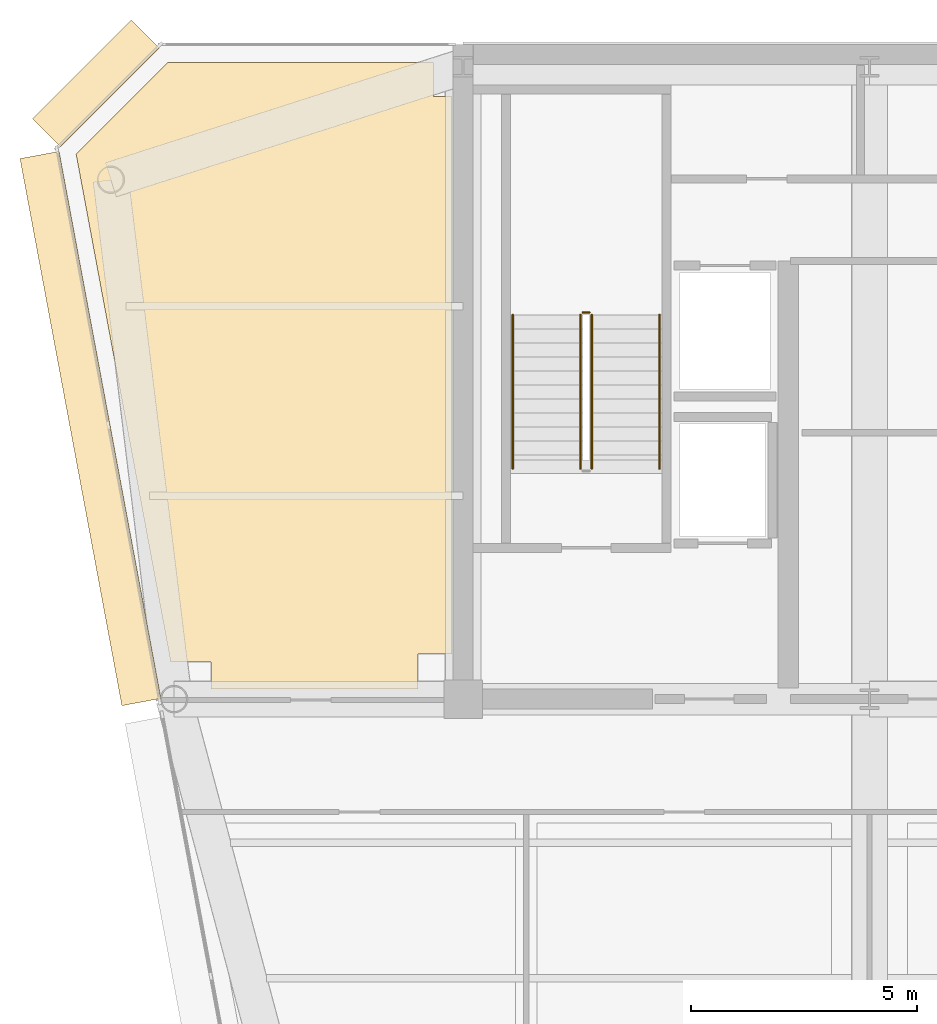
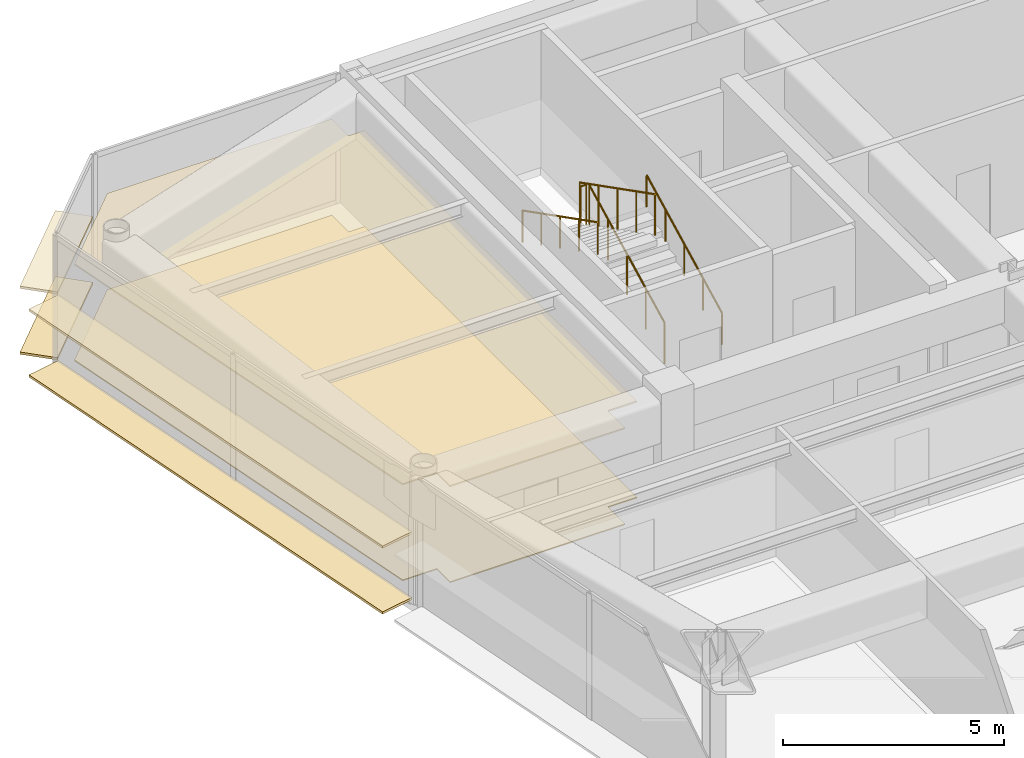
# One storey, part 16 of 18: 6 coverings, 5 railings.
"""IFC4 building model written with IfcOpenShell, lengths in metres."""

from ifc_helpers import new_model, si_unit, direction, frame, origin, origin_2d, place, context, subcontext, project, spatial, polyline, rectangle, circle, outline, extrude, source, transform, mapped, material, layer, layer_set, type_object, element, save


model = new_model("IFC4")

# Units and contexts
model_context = context("Model", 3, precision=1e-05, world=origin(), true_north=direction((0.0, 1.0)))
body_context = subcontext(model_context, "Body", "Model", "MODEL_VIEW")
ifc_project = project(units=[si_unit("LENGTHUNIT", "METRE"), si_unit("AREAUNIT", "SQUARE_METRE"), si_unit("VOLUMEUNIT", "CUBIC_METRE"), si_unit("PLANEANGLEUNIT", "RADIAN"), si_unit("MASSUNIT", "GRAM", prefix="KILO")], contexts=[model_context])

# Site, building, storey
site_placement = place(None, origin())
site = spatial("IfcSite", under=ifc_project, at=site_placement, CompositionType="ELEMENT")
building_placement = place(site_placement, origin())
building = spatial("IfcBuilding", under=site, at=building_placement, Name="Vaeldorn Concourse Tower", CompositionType="ELEMENT")
storey_placement = place(building_placement, frame((0.0, 0.0, 265.0)))
storey = spatial("IfcBuildingStorey", under=building, at=storey_placement, Name="L68", CompositionType="ELEMENT", Elevation=265.0)

# Coverings
ifc_material_1 = material(Name="Acoustic Mineral Fibre Board", Category="gypsum")
ifc_layer_1 = layer(ifc_material_1, 0.0400390625)
ifc_layer_set_1 = layer_set([ifc_layer_1], Name="Acoustic Mineral Fibre Board")
covering_type_1 = type_object("IfcCoveringType", Name="COV-CEIL-ACOUSTIC", PredefinedType="CEILING", material=ifc_layer_set_1)
covering_1_placement = place(storey_placement, frame((0.0, 0.0, 2.64990234375)))
element("IfcCovering", 1, at=covering_1_placement, inside=storey, type_object=covering_type_1, Name="Suspended Acoustic Ceiling L68-4", PredefinedType="CEILING", context=body_context, shape_type="SweptSolid", body=[
    extrude(outline(polyline([(13.340087890625, 50.60009765625), (13.340087890625, 49.840087890625), (13.760009765625, 49.840087890625), (13.760009765625, 37.5), (13.0, 37.5), (13.0, 36.719970703125), (8.419921875, 36.719970703125), (8.419921875, 37.320068359375), (7.52587890625, 37.320068359375), (5.431884765625, 48.566162109375), (7.4658203125, 50.60009765625), (13.340087890625, 50.60009765625)])), origin(), (0.0, 0.0, 1.0), 0.0400390625),
])
ifc_material_2 = material(Name="Honed Limestone Terrazzo Flooring", Category="masonry")
ifc_layer_2 = layer(ifc_material_2, 0.0400390625)
ifc_layer_set_2 = layer_set([ifc_layer_2], Name="Honed Limestone Terrazzo Flooring")
covering_type_2 = type_object("IfcCoveringType", Name="COV-FLOOR-STONE", PredefinedType="FLOORING", material=ifc_layer_set_2)
covering_2_placement = place(storey_placement, origin())
element("IfcCovering", 2, at=covering_2_placement, inside=storey, type_object=covering_type_2, Name="Floor Finish Covering L68-4", PredefinedType="FLOORING", context=body_context, shape_type="SweptSolid", body=[
    extrude(outline(polyline([(13.340087890625, 50.60009765625), (13.340087890625, 49.840087890625), (13.760009765625, 49.840087890625), (13.760009765625, 37.5), (13.0, 37.5), (13.0, 36.719970703125), (8.419921875, 36.719970703125), (8.419921875, 37.320068359375), (7.52587890625, 37.320068359375), (5.431884765625, 48.566162109375), (7.4658203125, 50.60009765625), (13.340087890625, 50.60009765625)])), origin(), (0.0, 0.0, 1.0), 0.030029296875),
])

# Railings
ifc_material_3 = material(Name="Anodised Bronze Aluminium", Category="aluminium")
railing_type_1 = type_object("IfcRailingType", Name="RL-STAIR-GUARD", PredefinedType="GUARDRAIL", material=ifc_material_3)
railing_1_placement = place(storey_placement, frame((16.85009765625, 41.60009765625, 0.158447265625)))
element("IfcRailing", 3, at=railing_1_placement, inside=storey, type_object=railing_type_1, Name="L68 ST-1 stair guard 1", PredefinedType="GUARDRAIL", context=body_context, shape_type="SweptSolid", body=[
    extrude(circle(Radius=0.02392578125, at=origin_2d()), frame((0.0, 0.0, 1.1259765625), z_axis=(0.0, 0.890581635807, 0.454823427236), x_axis=(-1.0, 0.0, 0.0)), (0.0, 0.0, 1.0), 3.828857421875),
    extrude(circle(Radius=0.02099609375, at=origin_2d()), origin(), (0.0, 0.0, 1.0), 1.101806640625),
    extrude(circle(Radius=0.02099609375, at=origin_2d()), frame((0.0, 0.8525390625, 0.435302734375)), (0.0, 0.0, 1.0), 1.101806640625),
    extrude(circle(Radius=0.02099609375, at=origin_2d()), frame((0.0, 1.705078125, 0.87060546875)), (0.0, 0.0, 1.0), 1.101806640625),
    extrude(circle(Radius=0.02099609375, at=origin_2d()), frame((0.0, 2.557373046875, 1.30615234375)), (0.0, 0.0, 1.0), 1.101806640625),
    extrude(circle(Radius=0.02099609375, at=origin_2d()), frame((0.0, 3.409912109375, 1.741455078125)), (0.0, 0.0, 1.0), 1.101806640625),
])
railing_2_placement = place(storey_placement, frame((16.800048828125, 45.06005859375, 1.89990234375)))
element("IfcRailing", 4, at=railing_2_placement, inside=storey, type_object=railing_type_1, Name="L68 ST-1 stair guard 2", PredefinedType="GUARDRAIL", context=body_context, shape_type="SweptSolid", body=[
    extrude(circle(Radius=0.02392578125, at=origin_2d()), frame((0.0, 0.0, 1.1259765625), z_axis=(-1.0, 0.0, 0.0), x_axis=(0.0, -1.0, 0.0)), (0.0, 0.0, 1.0), 0.150146484375),
    extrude(circle(Radius=0.02099609375, at=origin_2d()), origin(), (0.0, 0.0, 1.0), 1.101806640625),
    extrude(circle(Radius=0.02099609375, at=origin_2d()), frame((-0.150146484375, 0.0, 0.0)), (0.0, 0.0, 1.0), 1.101806640625),
])
railing_3_placement = place(storey_placement, frame((16.60009765625, 45.010009765625, 2.058349609375)))
element("IfcRailing", 5, at=railing_3_placement, inside=storey, type_object=railing_type_1, Name="L68 ST-1 stair guard 3", PredefinedType="GUARDRAIL", context=body_context, shape_type="SweptSolid", body=[
    extrude(circle(Radius=0.02392578125, at=origin_2d()), frame((0.0, 0.0, 1.1259765625), z_axis=(0.0, -0.890555807335, 0.454873997962), x_axis=(1.0, 0.0, 0.0)), (0.0, 0.0, 1.0), 3.828857421875),
    extrude(circle(Radius=0.02099609375, at=origin_2d()), origin(), (0.0, 0.0, 1.0), 1.101806640625),
    extrude(circle(Radius=0.02099609375, at=origin_2d()), frame((0.0, -0.8525390625, 0.435546875)), (0.0, 0.0, 1.0), 1.101806640625),
    extrude(circle(Radius=0.02099609375, at=origin_2d()), frame((0.0, -1.705078125, 0.870849609375)), (0.0, 0.0, 1.0), 1.101806640625),
    extrude(circle(Radius=0.02099609375, at=origin_2d()), frame((0.0, -2.557373046875, 1.30615234375)), (0.0, 0.0, 1.0), 1.101806640625),
    extrude(circle(Radius=0.02099609375, at=origin_2d()), frame((0.0, -3.409912109375, 1.74169921875)), (0.0, 0.0, 1.0), 1.101806640625),
])
railing_type_2 = type_object("IfcRailingType", Name="RL-STAIR-HANDRAIL", PredefinedType="HANDRAIL", material=ifc_material_3)
railing_4_placement = place(storey_placement, frame((18.35009765625, 41.60009765625, 0.158447265625)))
element("IfcRailing", 6, at=railing_4_placement, inside=storey, type_object=railing_type_2, Name="L68 ST-1 stair handrail 1", PredefinedType="HANDRAIL", context=body_context, shape_type="SweptSolid", body=[
    extrude(circle(Radius=0.02392578125, at=origin_2d()), frame((0.0, 0.0, 0.8759765625), z_axis=(0.0, 0.890581635807, 0.454823427236), x_axis=(-1.0, 0.0, 0.0)), (0.0, 0.0, 1.0), 3.828857421875),
    extrude(circle(Radius=0.02099609375, at=origin_2d()), origin(), (0.0, 0.0, 1.0), 0.851806640625),
    extrude(circle(Radius=0.02099609375, at=origin_2d()), frame((0.0, 0.8525390625, 0.435302734375)), (0.0, 0.0, 1.0), 0.851806640625),
    extrude(circle(Radius=0.02099609375, at=origin_2d()), frame((0.0, 1.705078125, 0.87060546875)), (0.0, 0.0, 1.0), 0.851806640625),
    extrude(circle(Radius=0.02099609375, at=origin_2d()), frame((0.0, 2.557373046875, 1.30615234375)), (0.0, 0.0, 1.0), 0.851806640625),
    extrude(circle(Radius=0.02099609375, at=origin_2d()), frame((0.0, 3.409912109375, 1.741455078125)), (0.0, 0.0, 1.0), 0.851806640625),
])
railing_5_placement = place(storey_placement, frame((15.10009765625, 45.010009765625, 2.058349609375)))
element("IfcRailing", 7, at=railing_5_placement, inside=storey, type_object=railing_type_2, Name="L68 ST-1 stair handrail 2", PredefinedType="HANDRAIL", context=body_context, shape_type="SweptSolid", body=[
    extrude(circle(Radius=0.02392578125, at=origin_2d()), frame((0.0, 0.0, 0.8759765625), z_axis=(0.0, -0.890555807335, 0.454873997962), x_axis=(1.0, 0.0, 0.0)), (0.0, 0.0, 1.0), 3.828857421875),
    extrude(circle(Radius=0.02099609375, at=origin_2d()), origin(), (0.0, 0.0, 1.0), 0.851806640625),
    extrude(circle(Radius=0.02099609375, at=origin_2d()), frame((0.0, -0.8525390625, 0.435546875)), (0.0, 0.0, 1.0), 0.851806640625),
    extrude(circle(Radius=0.02099609375, at=origin_2d()), frame((0.0, -1.705078125, 0.870849609375)), (0.0, 0.0, 1.0), 0.851806640625),
    extrude(circle(Radius=0.02099609375, at=origin_2d()), frame((0.0, -2.557373046875, 1.30615234375)), (0.0, 0.0, 1.0), 0.851806640625),
    extrude(circle(Radius=0.02099609375, at=origin_2d()), frame((0.0, -3.409912109375, 1.74169921875)), (0.0, 0.0, 1.0), 0.851806640625),
])

# Coverings
ifc_layer_3 = layer(ifc_material_3, 0.06494140625)
ifc_layer_set_3 = layer_set([ifc_layer_3], Name="Anodised Bronze Aluminium")
covering_type_3 = type_object("IfcCoveringType", Name="SD-BRONZE-SUNSHADE", PredefinedType="USERDEFINED", material=ifc_layer_set_3)
shared_shape_1 = source(origin(), body_context, "Body", "SweptSolid", [
    extrude(rectangle(XDim=3.0927734375, YDim=0.8798828125, at=origin_2d()), origin(), (0.0, 0.0, 1.0), 0.06494140625),
])
for number, where, z_axis, x_axis, name in (
    (8, (5.8671875, 50.1328125, 0.047607421875), (0.0, 0.0, 1.0), (-0.707106781187, -0.707106781187, 0.0), "Horizontal Bronze Sunshade L68-E10.1.1"),
    (9, (5.8671875, 50.1328125, 1.867431640625), (0.0, 0.0, 1.0), (-0.707106781187, -0.707106781187, 0.0), "Horizontal Bronze Sunshade L68-E10.1.2"),
):
    element("IfcCovering", number, at=place(storey_placement, frame(where, z_axis=z_axis, x_axis=x_axis)), inside=storey, type_object=covering_type_3, Name=name, ObjectType="SUNSHADE", PredefinedType="USERDEFINED", context=body_context, shape_type="MappedRepresentation", body=[
        mapped(shared_shape_1, transform((0.0, 0.0, 0.0), scale=1.0)),
    ])
shared_shape_2 = source(origin(), body_context, "Body", "SweptSolid", [
    extrude(rectangle(XDim=12.322509765625, YDim=0.8798828125, at=origin_2d()), origin(), (0.0, 0.0, 1.0), 0.06494140625),
])
for number, where, z_axis, x_axis, name in (
    (10, (5.749267578125, 42.490966796875, 0.047607421875), (0.0, 0.0, 1.0), (0.183059191151, -0.983101893262, 0.0), "Horizontal Bronze Sunshade L68-E11.1.1"),
    (11, (5.749267578125, 42.490966796875, 1.867431640625), (0.0, 0.0, 1.0), (0.183059191151, -0.983101893262, 0.0), "Horizontal Bronze Sunshade L68-E11.1.2"),
):
    element("IfcCovering", number, at=place(storey_placement, frame(where, z_axis=z_axis, x_axis=x_axis)), inside=storey, type_object=covering_type_3, Name=name, ObjectType="SUNSHADE", PredefinedType="USERDEFINED", context=body_context, shape_type="MappedRepresentation", body=[
        mapped(shared_shape_2, transform((0.0, 0.0, 0.0), scale=1.0)),
    ])

save(model, "model.ifc")
